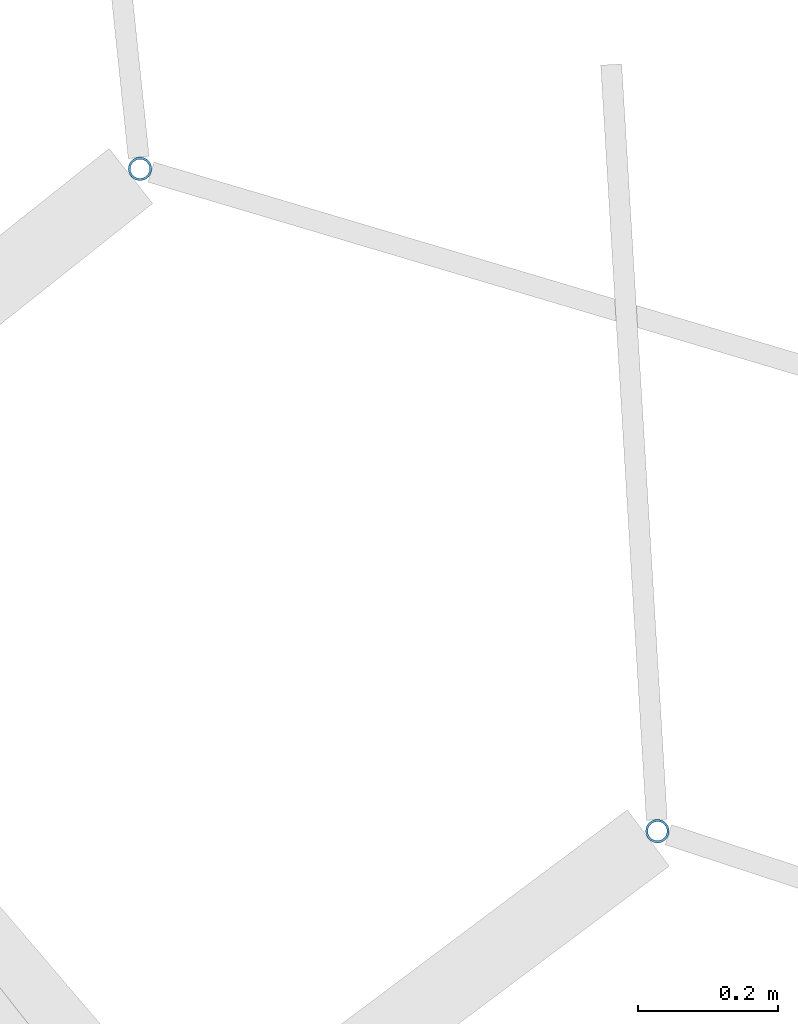
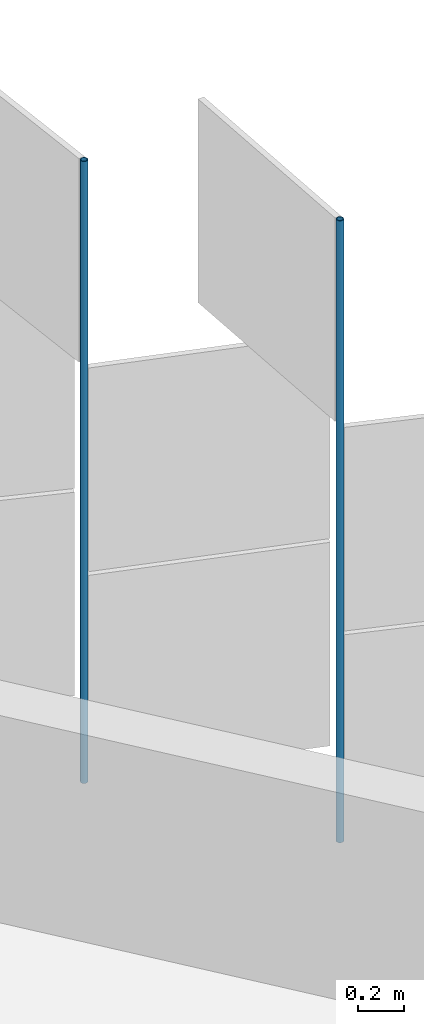
# One storey, part 125 of 198: 2 discrete accessories.
"""IFC4 building model written with IfcOpenShell, lengths in metres."""

from ifc_helpers import new_model, si_unit, direction, frame, origin, origin_2d, place, context, subcontext, project, spatial, hollow_circle, extrude, material, material_profile, profile_set, type_object, element, save


model = new_model("IFC4")

# Units and contexts
model_context = context("Model", 3, precision=1e-05, world=origin(), true_north=direction((0.0, 1.0)))
body_context = subcontext(model_context, "Body", "Model", "MODEL_VIEW")
ifc_project = project(units=[si_unit("LENGTHUNIT", "METRE"), si_unit("AREAUNIT", "SQUARE_METRE"), si_unit("VOLUMEUNIT", "CUBIC_METRE"), si_unit("PLANEANGLEUNIT", "RADIAN"), si_unit("MASSUNIT", "GRAM", prefix="KILO")], contexts=[model_context])

# Site, building, storey
site_placement = place(None, origin())
site = spatial("IfcSite", under=ifc_project, at=site_placement, CompositionType="ELEMENT")
building_placement = place(site_placement, origin())
building = spatial("IfcBuilding", under=site, at=building_placement, Name="Parallax Yard Mobility Hub", CompositionType="ELEMENT")
storey_placement = place(building_placement, frame((0.0, 0.0, 6.60009765625)))
storey = spatial("IfcBuildingStorey", under=building, at=storey_placement, Name="L02", CompositionType="ELEMENT", Elevation=6.60009765625)

# Discrete accessories
ifc_material = material(Name="Steel ASTM A500 Gr C, hot-dip galvanised", Category="steel")
ifc_material_profile = material_profile(ifc_material, hollow_circle(Radius=0.016845703125, WallThickness=0.003173828125, at=origin_2d()), Name="CHS 33.7x3.2")
ifc_profile_set = profile_set([ifc_material_profile], Name="Steel ASTM A500 Gr C, hot-dip galvanised")
discrete_accessory_type = type_object("IfcDiscreteAccessoryType", Name="Hinge post CHS 33.7x3.2", PredefinedType="BRACKET", material=ifc_profile_set)
for number, where, z_axis, x_axis, name in (
    (1, (214.925537109375, 122.29736328125, 0.0), (0.0, 0.0, 1.0), (1.0, 0.0, 0.0), "Hinge post bay 45.2 level L02"),
    (2, (214.18701171875, 123.24267578125, 0.0), (0.0, 0.0, 1.0), (1.0, 0.0, 0.0), "Hinge post bay 45.3 level L02"),
):
    element("IfcDiscreteAccessory", number, at=place(storey_placement, frame(where, z_axis=z_axis, x_axis=x_axis)), inside=storey, type_object=discrete_accessory_type, Name=name, PredefinedType="BRACKET", context=body_context, shape_type="SweptSolid", body=[
        extrude(hollow_circle(Radius=0.016845703125, WallThickness=0.003173828125, at=origin_2d()), origin(), (0.0, 0.0, 1.0), 3.2998046875),
    ])

save(model, "model.ifc")
